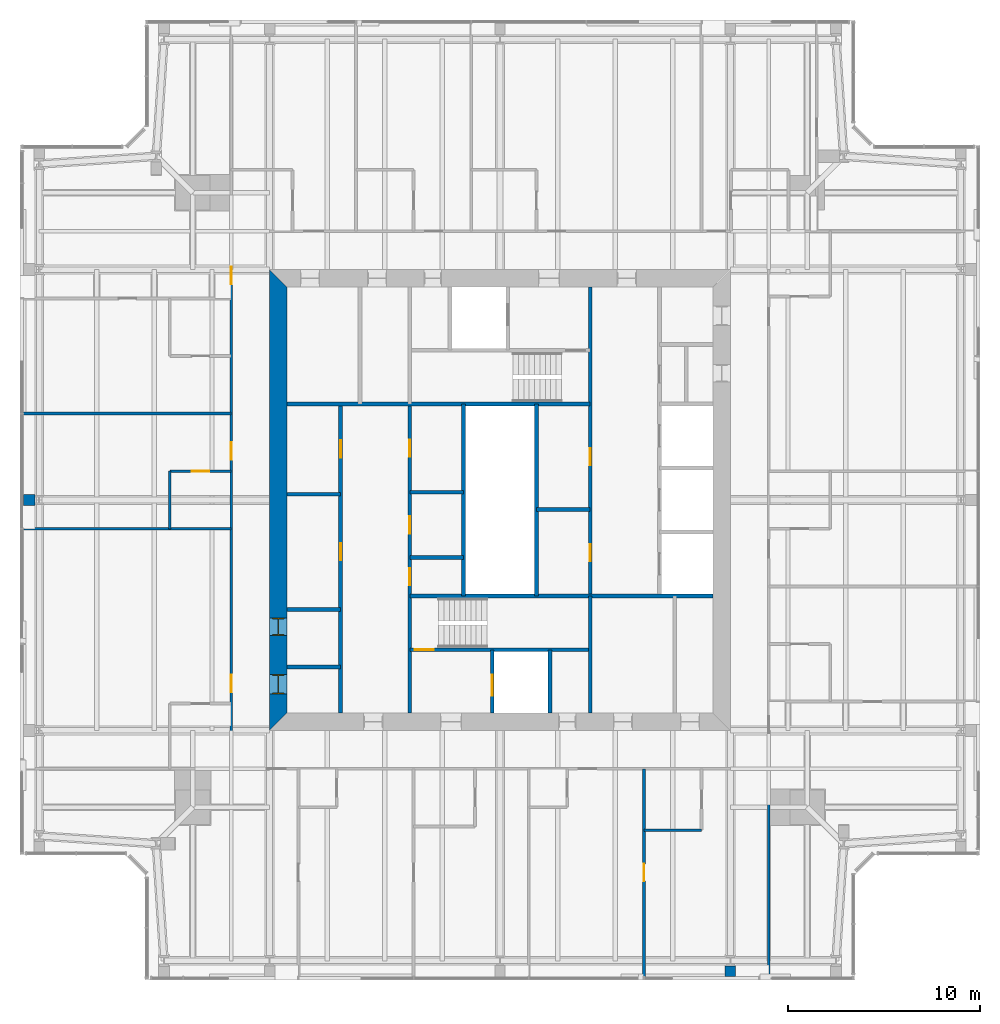
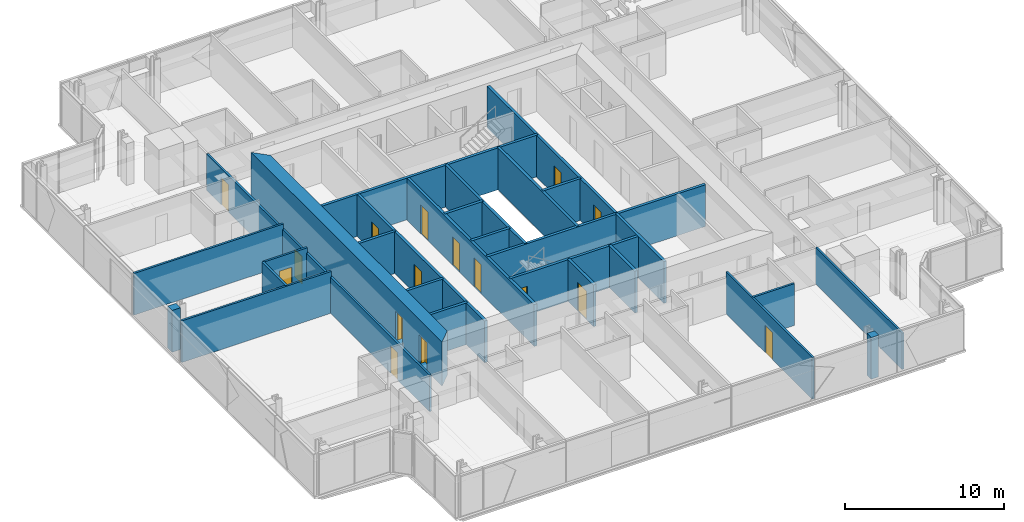
# One storey, part 12 of 18: 28 walls, 16 doors, 16 openings.
"""IFC4 building model written with IfcOpenShell, lengths in metres."""

from ifc_helpers import new_model, si_unit, direction, frame, frame_2d, origin, place, context, subcontext, project, spatial, polyline, rectangle, outline, extrude, material, layer, layer_set, type_object, element, fill, save


model = new_model("IFC4")

# Units and contexts
model_context = context("Model", 3, precision=1e-05, world=origin(), true_north=direction((0.0, 1.0)))
body_context = subcontext(model_context, "Body", "Model", "MODEL_VIEW")
ifc_project = project(units=[si_unit("LENGTHUNIT", "METRE"), si_unit("AREAUNIT", "SQUARE_METRE"), si_unit("VOLUMEUNIT", "CUBIC_METRE"), si_unit("PLANEANGLEUNIT", "RADIAN"), si_unit("MASSUNIT", "GRAM", prefix="KILO")], contexts=[model_context])

# Site, building, storey
site_placement = place(None, origin())
site = spatial("IfcSite", under=ifc_project, at=site_placement, CompositionType="ELEMENT")
building_placement = place(site_placement, origin())
building = spatial("IfcBuilding", under=site, at=building_placement, Name="Fenwick Lantern Interchange", CompositionType="ELEMENT")
storey_placement = place(building_placement, frame((0.0, 0.0, 293.39990234375)))
storey = spatial("IfcBuildingStorey", under=building, at=storey_placement, Name="L71", CompositionType="ELEMENT", Elevation=293.39990234375)

# Walls
ifc_material_1 = material(Name="Fire-rated gypsum board encasement on steel studs, 2 hour", Category="steel")
ifc_layer_1 = layer(ifc_material_1, 0.5419921875)
ifc_layer_set_1 = layer_set([ifc_layer_1], Name="COLUMN PIER 542")
wall_type_1 = type_object("IfcWallType", Name="COLUMN PIER 542", PredefinedType="PARTITIONING", material=ifc_layer_set_1)
wall_1_placement = place(storey_placement, frame((37.0, 0.18994140625, 0.0), z_axis=(0.0, 0.0, 1.0), x_axis=(0.0, 1.0, 0.0)))
element("IfcWall", 1, at=wall_1_placement, inside=storey, type_object=wall_type_1, Name="L71/W/PIER/CS4", PredefinedType="PARTITIONING", context=body_context, shape_type="SweptSolid", body=[
    extrude(rectangle(XDim=0.544677734375, YDim=0.5419921875, at=frame_2d((0.2724609375, 0.0))), origin(), (0.0, 0.0, 1.0), 3.2001953125),
])
ifc_layer_2 = layer(ifc_material_1, 0.574951171875)
ifc_layer_set_2 = layer_set([ifc_layer_2], Name="COLUMN PIER 575")
wall_type_2 = type_object("IfcWallType", Name="COLUMN PIER 575", PredefinedType="PARTITIONING", material=ifc_layer_set_2)
wall_2_placement = place(storey_placement, frame((0.18994140625, 25.0, 0.0), z_axis=(0.0, 0.0, 1.0), x_axis=(1.0, 0.0, 0.0)))
element("IfcWall", 2, at=wall_2_placement, inside=storey, type_object=wall_type_2, Name="L71/W/PIER/CW3", PredefinedType="PARTITIONING", context=body_context, shape_type="SweptSolid", body=[
    extrude(rectangle(XDim=0.597900390625, YDim=0.574951171875, at=frame_2d((0.298828125, 0.0))), origin(), (0.0, 0.0, 1.0), 3.2001953125),
])

# Wall, openings, doors
ifc_material_2 = material(Name="Concrete masonry ASTM C90 Grade N", Category="masonry")
ifc_layer_3 = layer(ifc_material_2, 0.199951171875)
ifc_layer_set_3 = layer_set([ifc_layer_3], Name="Concrete masonry ASTM C90 Grade N")
wall_type_3 = type_object("IfcWallType", Name="CORE PARTITION 200", PredefinedType="PARTITIONING", material=ifc_layer_set_3)
wall_3_placement = place(storey_placement, frame((16.699951171875, 13.89990234375, 0.0), z_axis=(0.0, 0.0, 1.0), x_axis=(0.0, 1.0, 0.0)))
wall_3 = element("IfcWall", 3, at=wall_3_placement, inside=storey, type_object=wall_type_3, Name="L71/W/CORES/a", PredefinedType="PARTITIONING", context=body_context, shape_type="SweptSolid", body=[
    extrude(rectangle(XDim=16.10009765625, YDim=0.199951171875, at=frame_2d((8.050048828125, 0.0))), origin(), (0.0, 0.0, 1.0), 3.2001953125),
])
opening_1_placement = place(wall_3_placement, frame((7.949951171875, 0.0, 0.0)))
opening_1 = element("IfcOpeningElement", 4, at=opening_1_placement, cuts=wall_3, Name="Opening L71-D009", PredefinedType="OPENING", context=body_context, shape_type="SweptSolid", body=[
    extrude(rectangle(XDim=0.89990234375, YDim=2.199951171875, at=frame_2d((0.449951171875, 1.10009765625))), frame((0.0, 0.10986328125, 0.0), z_axis=(0.0, -1.0, 0.0), x_axis=(1.0, 0.0, 0.0)), (0.0, 0.0, 1.0), 0.219970703125),
])
opening_2_placement = place(wall_3_placement, frame((13.300048828125, 0.0, 0.0)))
opening_2 = element("IfcOpeningElement", 5, at=opening_2_placement, cuts=wall_3, Name="Opening L71-D010", PredefinedType="OPENING", context=body_context, shape_type="SweptSolid", body=[
    extrude(rectangle(XDim=0.89990234375, YDim=2.199951171875, at=frame_2d((0.449951171875, 1.10009765625))), frame((0.0, 0.10986328125, 0.0), z_axis=(0.0, -1.0, 0.0), x_axis=(1.0, 0.0, 0.0)), (0.0, 0.0, 1.0), 0.219970703125),
])
ifc_material_3 = material(Name="Steel door and frame", Category="steel")
door_type_1 = type_object("IfcDoorType", Name="SERVICE DOOR 900 X 2200", OperationType="SINGLE_SWING_LEFT", PredefinedType="DOOR", material=ifc_material_3)
door_1_placement = place(opening_1_placement, origin())
door_1 = element("IfcDoor", 6, at=door_1_placement, inside=storey, type_object=door_type_1, Name="Service door", OperationType="SINGLE_SWING_LEFT", OverallHeight=2.199951171875, OverallWidth=0.89990234375, PredefinedType="DOOR", context=body_context, shape_type="SweptSolid", body=[
    extrude(rectangle(XDim=0.89990234375, YDim=2.199951171875, at=frame_2d((0.449951171875, 1.10009765625))), frame((0.0, 0.02490234375, 0.0), z_axis=(0.0, -1.0, 0.0), x_axis=(1.0, 0.0, 0.0)), (0.0, 0.0, 1.0), 0.050048828125),
])
fill(opening_1, door_1)
door_2_placement = place(opening_2_placement, origin())
door_2 = element("IfcDoor", 7, at=door_2_placement, inside=storey, type_object=door_type_1, Name="Service door", OperationType="SINGLE_SWING_LEFT", OverallHeight=2.199951171875, OverallWidth=0.89990234375, PredefinedType="DOOR", context=body_context, shape_type="SweptSolid", body=[
    extrude(rectangle(XDim=0.89990234375, YDim=2.199951171875, at=frame_2d((0.449951171875, 1.10009765625))), frame((0.0, 0.02490234375, 0.0), z_axis=(0.0, -1.0, 0.0), x_axis=(1.0, 0.0, 0.0)), (0.0, 0.0, 1.0), 0.050048828125),
])
fill(opening_2, door_2)

# Wall
wall_4_placement = place(storey_placement, frame((23.10009765625, 20.0, 0.0), z_axis=(0.0, 0.0, 1.0), x_axis=(0.0, 1.0, 0.0)))
element("IfcWall", 8, at=wall_4_placement, inside=storey, type_object=wall_type_3, Name="L71/W/CORES/e3", PredefinedType="PARTITIONING", context=body_context, shape_type="SweptSolid", body=[
    extrude(rectangle(XDim=10.0, YDim=0.199951171875, at=frame_2d((5.0, 0.0))), origin(), (0.0, 0.0, 1.0), 3.2001953125),
])

# Wall, opening, door
wall_5_placement = place(storey_placement, frame((24.60009765625, 13.89990234375, 0.0), z_axis=(0.0, 0.0, 1.0), x_axis=(0.0, 1.0, 0.0)))
wall_5 = element("IfcWall", 9, at=wall_5_placement, inside=storey, type_object=wall_type_3, Name="L71/W/CORES/h1", PredefinedType="PARTITIONING", context=body_context, shape_type="SweptSolid", body=[
    extrude(rectangle(XDim=3.300048828125, YDim=0.199951171875, at=frame_2d((1.64990234375, 0.0))), origin(), (0.0, 0.0, 1.0), 3.2001953125),
])
opening_3_placement = place(wall_5_placement, frame((0.89990234375, 0.0, 0.0)))
opening_3 = element("IfcOpeningElement", 10, at=opening_3_placement, cuts=wall_5, Name="Opening LD-FL1", PredefinedType="OPENING", context=body_context, shape_type="SweptSolid", body=[
    extrude(rectangle(XDim=1.10009765625, YDim=2.199951171875, at=frame_2d((0.550048828125, 1.10009765625))), frame((0.0, 0.10986328125, 0.0), z_axis=(0.0, -1.0, 0.0), x_axis=(1.0, 0.0, 0.0)), (0.0, 0.0, 1.0), 0.219970703125),
])
door_type_2 = type_object("IfcDoorType", Name="LIFT LANDING DOOR 1100 X 2200", OperationType="DOUBLE_DOOR_SLIDING", PredefinedType="DOOR", material=ifc_material_3)
door_3_placement = place(opening_3_placement, origin())
door_3 = element("IfcDoor", 11, at=door_3_placement, inside=storey, type_object=door_type_2, Name="Lift landing door FL1", OperationType="DOUBLE_DOOR_SLIDING", OverallHeight=2.199951171875, OverallWidth=1.10009765625, PredefinedType="DOOR", context=body_context, shape_type="SweptSolid", body=[
    extrude(rectangle(XDim=1.10009765625, YDim=2.199951171875, at=frame_2d((0.550048828125, 1.10009765625))), frame((0.0, 0.02490234375, 0.0), z_axis=(0.0, -1.0, 0.0), x_axis=(1.0, 0.0, 0.0)), (0.0, 0.0, 1.0), 0.050048828125),
])
fill(opening_3, door_3)

# Walls
wall_6_placement = place(storey_placement, frame((27.60009765625, 13.89990234375, 0.0), z_axis=(0.0, 0.0, 1.0), x_axis=(0.0, 1.0, 0.0)))
element("IfcWall", 12, at=wall_6_placement, inside=storey, type_object=wall_type_3, Name="L71/W/CORES/h2", PredefinedType="PARTITIONING", context=body_context, shape_type="SweptSolid", body=[
    extrude(rectangle(XDim=3.300048828125, YDim=0.199951171875, at=frame_2d((1.64990234375, 0.0))), origin(), (0.0, 0.0, 1.0), 3.2001953125),
])
for number, where, z_axis, x_axis, name in (
    (13, (13.89990234375, 16.300048828125, 0.0), (0.0, 0.0, 1.0), (1.0, 0.0, 0.0), "L71/W/CORES/p1"),
    (14, (13.89990234375, 19.300048828125, 0.0), (0.0, 0.0, 1.0), (1.0, 0.0, 0.0), "L71/W/CORES/p2"),
    (15, (13.89990234375, 25.300048828125, 0.0), (0.0, 0.0, 1.0), (1.0, 0.0, 0.0), "L71/W/CORES/p3"),
    (16, (20.300048828125, 22.0, 0.0), (0.0, 0.0, 1.0), (1.0, 0.0, 0.0), "L71/W/CORES/q1"),
    (17, (20.300048828125, 25.39990234375, 0.0), (0.0, 0.0, 1.0), (1.0, 0.0, 0.0), "L71/W/CORES/q2"),
):
    element("IfcWall", number, at=place(storey_placement, frame(where, z_axis=z_axis, x_axis=x_axis)), inside=storey, type_object=wall_type_3, Name=name, PredefinedType="PARTITIONING", context=body_context, shape_type="SweptSolid", body=[
        extrude(rectangle(XDim=2.800048828125, YDim=0.199951171875, at=frame_2d((1.39990234375, 0.0))), origin(), (0.0, 0.0, 1.0), 3.2001953125),
    ])
wall_7_placement = place(storey_placement, frame((26.89990234375, 30.0, 0.0), z_axis=(0.0, 0.0, 1.0), x_axis=(0.0, -1.0, 0.0)))
element("IfcWall", 18, at=wall_7_placement, inside=storey, type_object=wall_type_3, Name="L71/W/COREN/e3", PredefinedType="PARTITIONING", context=body_context, shape_type="SweptSolid", body=[
    extrude(rectangle(XDim=10.0, YDim=0.199951171875, at=frame_2d((5.0, 0.0))), origin(), (0.0, 0.0, 1.0), 3.2001953125),
])
wall_8_placement = place(storey_placement, frame((29.699951171875, 24.5, 0.0), z_axis=(0.0, 0.0, 1.0), x_axis=(-1.0, 0.0, 0.0)))
element("IfcWall", 19, at=wall_8_placement, inside=storey, type_object=wall_type_3, Name="L71/W/COREN/q1", PredefinedType="PARTITIONING", context=body_context, shape_type="SweptSolid", body=[
    extrude(rectangle(XDim=2.800048828125, YDim=0.199951171875, at=frame_2d((1.39990234375, 0.0))), origin(), (0.0, 0.0, 1.0), 3.2001953125),
])

# Wall, openings, doors
ifc_material_4 = material(Name="Concrete f'c 70 MPa", Category="concrete")
ifc_layer_4 = layer(ifc_material_4, 0.89990234375)
ifc_layer_set_4 = layer_set([ifc_layer_4], Name="CORE WALL 900")
wall_type_4 = type_object("IfcWallType", Name="CORE WALL 900", PredefinedType="SHEAR", material=ifc_layer_set_4)
wall_9_placement = place(storey_placement, frame((13.449951171875, 36.10009765625, 0.0), z_axis=(0.0, 0.0, 1.0), x_axis=(0.0, -1.0, 0.0)))
wall_9 = element("IfcWall", 20, at=wall_9_placement, inside=storey, type_object=wall_type_4, Name="L71/CORE/W", PredefinedType="SHEAR", context=body_context, shape_type="SweptSolid", body=[
    extrude(outline(polyline([(-0.89990234375, -0.449951171875), (23.10009765625, -0.449951171875), (22.199951171875, 0.449951171875), (0.0, 0.449951171875), (-0.89990234375, -0.449951171875)])), origin(), (0.0, 0.0, 1.0), 3.400146484375),
])
opening_4_placement = place(wall_9_placement, frame((20.199951171875, 0.0, 0.0)))
opening_4 = element("IfcOpeningElement", 21, at=opening_4_placement, cuts=wall_9, Name="Opening L71-D007", PredefinedType="OPENING", context=body_context, shape_type="SweptSolid", body=[
    extrude(rectangle(XDim=1.0, YDim=2.199951171875, at=frame_2d((0.5, 1.10009765625))), frame((0.0, 0.4599609375, 0.0), z_axis=(0.0, -1.0, 0.0), x_axis=(1.0, 0.0, 0.0)), (0.0, 0.0, 1.0), 0.919921875),
])
opening_5_placement = place(wall_9_placement, frame((17.25, 0.0, 0.0)))
opening_5 = element("IfcOpeningElement", 22, at=opening_5_placement, cuts=wall_9, Name="Opening L71-D008", PredefinedType="OPENING", context=body_context, shape_type="SweptSolid", body=[
    extrude(rectangle(XDim=0.89990234375, YDim=2.199951171875, at=frame_2d((0.449951171875, 1.10009765625))), frame((0.0, 0.4599609375, 0.0), z_axis=(0.0, -1.0, 0.0), x_axis=(1.0, 0.0, 0.0)), (0.0, 0.0, 1.0), 0.919921875),
])
door_4_placement = place(opening_5_placement, origin())
door_4 = element("IfcDoor", 23, at=door_4_placement, inside=storey, type_object=door_type_1, Name="Service door", OperationType="SINGLE_SWING_LEFT", OverallHeight=2.199951171875, OverallWidth=0.89990234375, PredefinedType="DOOR", context=body_context, shape_type="SweptSolid", body=[
    extrude(rectangle(XDim=0.89990234375, YDim=2.199951171875, at=frame_2d((0.449951171875, 1.10009765625))), frame((0.0, 0.02490234375, 0.0), z_axis=(0.0, -1.0, 0.0), x_axis=(1.0, 0.0, 0.0)), (0.0, 0.0, 1.0), 0.050048828125),
    extrude(outline(polyline([(0.0, 0.0), (0.0400390625, 0.0), (0.0400390625, 2.159912109375), (0.85986328125, 2.159912109375), (0.85986328125, 0.0), (0.89990234375, 0.0), (0.89990234375, 2.199951171875), (0.0, 2.199951171875), (0.0, 0.0)])), frame((0.0, 0.300048828125, 0.0), z_axis=(0.0, -1.0, 0.0), x_axis=(1.0, 0.0, 0.0)), (0.0, 0.0, 1.0), 0.60009765625),
])
fill(opening_5, door_4)
ifc_material_5 = material(Name="Hardwood door and steel frame", Category="steel")
door_type_3 = type_object("IfcDoorType", Name="WC DOOR 1000 X 2200", OperationType="SINGLE_SWING_LEFT", PredefinedType="DOOR", material=ifc_material_5)
door_5_placement = place(opening_4_placement, origin())
door_5 = element("IfcDoor", 24, at=door_5_placement, inside=storey, type_object=door_type_3, Name="Wc door", OperationType="SINGLE_SWING_LEFT", OverallHeight=2.199951171875, OverallWidth=1.0, PredefinedType="DOOR", context=body_context, shape_type="SweptSolid", body=[
    extrude(rectangle(XDim=1.0, YDim=2.199951171875, at=frame_2d((0.5, 1.10009765625))), frame((0.0, 0.02490234375, 0.0), z_axis=(0.0, -1.0, 0.0), x_axis=(1.0, 0.0, 0.0)), (0.0, 0.0, 1.0), 0.050048828125),
    extrude(outline(polyline([(0.0, 0.0), (0.0400390625, 0.0), (0.0400390625, 2.159912109375), (0.9599609375, 2.159912109375), (0.9599609375, 0.0), (1.0, 0.0), (1.0, 2.199951171875), (0.0, 2.199951171875), (0.0, 0.0)])), frame((0.0, 0.300048828125, 0.0), z_axis=(0.0, -1.0, 0.0), x_axis=(1.0, 0.0, 0.0)), (0.0, 0.0, 1.0), 0.60009765625),
])
fill(opening_4, door_5)

ifc_material_6 = material(Name="Gypsum board on steel studs, 1 hour", Category="steel")
ifc_layer_5 = layer(ifc_material_6, 0.14990234375)
ifc_layer_set_5 = layer_set([ifc_layer_5], Name="CORRIDOR WALL 150")
wall_type_5 = type_object("IfcWallType", Name="CORRIDOR WALL 150", PredefinedType="PARTITIONING", material=ifc_layer_set_5)
wall_10_placement = place(storey_placement, frame((11.0, 39.0, 0.0), z_axis=(0.0, 0.0, 1.0), x_axis=(0.0, -1.0, 0.0)))
wall_10 = element("IfcWall", 25, at=wall_10_placement, inside=storey, type_object=wall_type_5, Name="L71/W/HOTEL/W/CW", PredefinedType="PARTITIONING", context=body_context, shape_type="SweptSolid", body=[
    extrude(rectangle(XDim=28.0, YDim=0.14990234375, at=frame_2d((14.0, 0.0))), origin(), (0.0, 0.0, 1.0), 2.793701171875),
])
opening_6_placement = place(wall_10_placement, frame((1.85009765625, 0.0, 0.0)))
opening_6 = element("IfcOpeningElement", 26, at=opening_6_placement, cuts=wall_10, Name="Opening L71-D050", PredefinedType="OPENING", context=body_context, shape_type="SweptSolid", body=[
    extrude(rectangle(XDim=0.89990234375, YDim=2.10009765625, at=frame_2d((0.449951171875, 1.050048828125))), frame((0.0, 0.0849609375, 0.0), z_axis=(0.0, -1.0, 0.0), x_axis=(1.0, 0.0, 0.0)), (0.0, 0.0, 1.0), 0.169921875),
])
opening_7_placement = place(wall_10_placement, frame((11.0, 0.0, 0.0)))
opening_7 = element("IfcOpeningElement", 27, at=opening_7_placement, cuts=wall_10, Name="Opening L71-D054", PredefinedType="OPENING", context=body_context, shape_type="SweptSolid", body=[
    extrude(rectangle(XDim=0.89990234375, YDim=2.10009765625, at=frame_2d((0.449951171875, 1.050048828125))), frame((0.0, 0.0849609375, 0.0), z_axis=(0.0, -1.0, 0.0), x_axis=(1.0, 0.0, 0.0)), (0.0, 0.0, 1.0), 0.169921875),
])
opening_8_placement = place(wall_10_placement, frame((23.10009765625, 0.0, 0.0)))
opening_8 = element("IfcOpeningElement", 28, at=opening_8_placement, cuts=wall_10, Name="Opening L71-D056", PredefinedType="OPENING", context=body_context, shape_type="SweptSolid", body=[
    extrude(rectangle(XDim=0.89990234375, YDim=2.10009765625, at=frame_2d((0.449951171875, 1.050048828125))), frame((0.0, 0.0849609375, 0.0), z_axis=(0.0, -1.0, 0.0), x_axis=(1.0, 0.0, 0.0)), (0.0, 0.0, 1.0), 0.169921875),
])
door_type_4 = type_object("IfcDoorType", Name="GUEST ROOM DOOR 900 X 2100", OperationType="SINGLE_SWING_LEFT", PredefinedType="DOOR", material=ifc_material_3)
door_6_placement = place(opening_6_placement, frame((0.89990234375, 0.0, 0.0), z_axis=(0.0, 0.0, 1.0), x_axis=(-1.0, 0.0, 0.0)))
door_6 = element("IfcDoor", 29, at=door_6_placement, inside=storey, type_object=door_type_4, Name="Guest room door", OperationType="SINGLE_SWING_LEFT", OverallHeight=2.10009765625, OverallWidth=0.89990234375, PredefinedType="DOOR", context=body_context, shape_type="SweptSolid", body=[
    extrude(rectangle(XDim=0.89990234375, YDim=2.10009765625, at=frame_2d((0.449951171875, 1.050048828125))), frame((0.0, 0.02490234375, 0.0), z_axis=(0.0, -1.0, 0.0), x_axis=(1.0, 0.0, 0.0)), (0.0, 0.0, 1.0), 0.050048828125),
])
fill(opening_6, door_6)
door_7_placement = place(opening_7_placement, frame((0.89990234375, 0.0, 0.0), z_axis=(0.0, 0.0, 1.0), x_axis=(-1.0, 0.0, 0.0)))
door_7 = element("IfcDoor", 30, at=door_7_placement, inside=storey, type_object=door_type_4, Name="Guest room door", OperationType="SINGLE_SWING_LEFT", OverallHeight=2.10009765625, OverallWidth=0.89990234375, PredefinedType="DOOR", context=body_context, shape_type="SweptSolid", body=[
    extrude(rectangle(XDim=0.89990234375, YDim=2.10009765625, at=frame_2d((0.449951171875, 1.050048828125))), frame((0.0, 0.02490234375, 0.0), z_axis=(0.0, -1.0, 0.0), x_axis=(1.0, 0.0, 0.0)), (0.0, 0.0, 1.0), 0.050048828125),
])
fill(opening_7, door_7)
door_8_placement = place(opening_8_placement, frame((0.89990234375, 0.0, 0.0), z_axis=(0.0, 0.0, 1.0), x_axis=(-1.0, 0.0, 0.0)))
door_8 = element("IfcDoor", 31, at=door_8_placement, inside=storey, type_object=door_type_4, Name="Guest room door", OperationType="SINGLE_SWING_LEFT", OverallHeight=2.10009765625, OverallWidth=0.89990234375, PredefinedType="DOOR", context=body_context, shape_type="SweptSolid", body=[
    extrude(rectangle(XDim=0.89990234375, YDim=2.10009765625, at=frame_2d((0.449951171875, 1.050048828125))), frame((0.0, 0.02490234375, 0.0), z_axis=(0.0, -1.0, 0.0), x_axis=(1.0, 0.0, 0.0)), (0.0, 0.0, 1.0), 0.050048828125),
])
fill(opening_8, door_8)

# Walls
ifc_material_7 = material(Name="Gypsum board on steel studs, moisture resistant", Category="steel")
ifc_layer_6 = layer(ifc_material_7, 0.14990234375)
ifc_layer_set_6 = layer_set([ifc_layer_6], Name="EN-SUITE WALL 150")
wall_type_6 = type_object("IfcWallType", Name="EN-SUITE WALL 150", PredefinedType="PARTITIONING", material=ifc_layer_set_6)
for number, where, z_axis, x_axis, name in (
    (32, (32.5, 7.800048828125, 0.0), (0.0, 0.0, 1.0), (1.0, 0.0, 0.0), "L71/W/HOTEL/S/U2BW"),
    (33, (7.800048828125, 26.5, 0.0), (0.0, 0.0, 1.0), (0.0, -1.0, 0.0), "L71/W/HOTEL/W/U2BW"),
):
    element("IfcWall", number, at=place(storey_placement, frame(where, z_axis=z_axis, x_axis=x_axis)), inside=storey, type_object=wall_type_6, Name=name, PredefinedType="PARTITIONING", context=body_context, shape_type="SweptSolid", body=[
        extrude(rectangle(XDim=3.0, YDim=0.14990234375, at=frame_2d((1.5, 0.0))), origin(), (0.0, 0.0, 1.0), 3.2001953125),
    ])

# Wall, opening, door
wall_11_placement = place(storey_placement, frame((7.800048828125, 26.5, 0.0), z_axis=(0.0, 0.0, 1.0), x_axis=(1.0, 0.0, 0.0)))
wall_11 = element("IfcWall", 34, at=wall_11_placement, inside=storey, type_object=wall_type_6, Name="L71/W/HOTEL/W/U2BX", PredefinedType="PARTITIONING", context=body_context, shape_type="SweptSolid", body=[
    extrude(rectangle(XDim=3.199951171875, YDim=0.14990234375, at=frame_2d((1.60009765625, 0.0))), origin(), (0.0, 0.0, 1.0), 3.2001953125),
])
opening_9_placement = place(wall_11_placement, frame((1.14990234375, 0.0, 0.0)))
opening_9 = element("IfcOpeningElement", 35, at=opening_9_placement, cuts=wall_11, Name="Opening L71-D053", PredefinedType="OPENING", context=body_context, shape_type="SweptSolid", body=[
    extrude(rectangle(XDim=0.89990234375, YDim=2.10009765625, at=frame_2d((0.449951171875, 1.050048828125))), frame((0.0, 0.0849609375, 0.0), z_axis=(0.0, -1.0, 0.0), x_axis=(1.0, 0.0, 0.0)), (0.0, 0.0, 1.0), 0.169921875),
])
door_type_5 = type_object("IfcDoorType", Name="EN-SUITE DOOR 900 X 2100", OperationType="SINGLE_SWING_LEFT", PredefinedType="DOOR", material=ifc_material_5)
door_9_placement = place(opening_9_placement, frame((0.89990234375, 0.0, 0.0), z_axis=(0.0, 0.0, 1.0), x_axis=(-1.0, 0.0, 0.0)))
door_9 = element("IfcDoor", 36, at=door_9_placement, inside=storey, type_object=door_type_5, Name="En-suite door", OperationType="SINGLE_SWING_RIGHT", OverallHeight=2.10009765625, OverallWidth=0.89990234375, PredefinedType="DOOR", context=body_context, shape_type="SweptSolid", body=[
    extrude(rectangle(XDim=0.89990234375, YDim=2.10009765625, at=frame_2d((0.449951171875, 1.050048828125))), frame((0.0, 0.02490234375, 0.0), z_axis=(0.0, -1.0, 0.0), x_axis=(1.0, 0.0, 0.0)), (0.0, 0.0, 1.0), 0.050048828125),
])
fill(opening_9, door_9)

# Walls
ifc_material_8 = material(Name="Gypsum board on steel studs, 1 hour acoustic", Category="steel")
ifc_layer_7 = layer(ifc_material_8, 0.14990234375)
ifc_layer_set_7 = layer_set([ifc_layer_7], Name="PARTY WALL 150")
wall_type_7 = type_object("IfcWallType", Name="PARTY WALL 150", PredefinedType="PARTITIONING", material=ifc_layer_set_7)
wall_12_placement = place(storey_placement, frame((39.0, 0.14990234375, 0.0), z_axis=(0.0, 0.0, 1.0), x_axis=(0.0, 1.0, 0.0)))
element("IfcWall", 37, at=wall_12_placement, inside=storey, type_object=wall_type_7, Name="L71/W/HOTEL/E/SW3", PredefinedType="PARTITIONING", context=body_context, shape_type="SweptSolid", body=[
    extrude(rectangle(XDim=10.85009765625, YDim=0.14990234375, at=frame_2d((5.425048828125, 0.0))), origin(), (0.0, 0.0, 1.0), 2.793701171875),
])
for number, where, z_axis, x_axis, name in (
    (38, (0.14990234375, 29.5, 0.0), (0.0, 0.0, 1.0), (1.0, 0.0, 0.0), "L71/W/HOTEL/W/U2PW"),
    (39, (0.14990234375, 23.5, 0.0), (0.0, 0.0, 1.0), (1.0, 0.0, 0.0), "L71/W/HOTEL/W/U3PW"),
):
    element("IfcWall", number, at=place(storey_placement, frame(where, z_axis=z_axis, x_axis=x_axis)), inside=storey, type_object=wall_type_7, Name=name, PredefinedType="PARTITIONING", context=body_context, shape_type="SweptSolid", body=[
        extrude(rectangle(XDim=10.85009765625, YDim=0.14990234375, at=frame_2d((5.425048828125, 0.0))), origin(), (0.0, 0.0, 1.0), 3.2001953125),
    ])

# Wall, openings, doors
ifc_material_9 = material(Name="Concrete f'c 45 MPa", Category="concrete")
ifc_layer_8 = layer(ifc_material_9, 0.199951171875)
ifc_layer_set_8 = layer_set([ifc_layer_8], Name="STAIR CORE WALL 200")
wall_type_8 = type_object("IfcWallType", Name="STAIR CORE WALL 200", PredefinedType="SOLIDWALL", material=ifc_layer_set_8)
wall_13_placement = place(storey_placement, frame((20.300048828125, 13.89990234375, 0.0), z_axis=(0.0, 0.0, 1.0), x_axis=(0.0, 1.0, 0.0)))
wall_13 = element("IfcWall", 40, at=wall_13_placement, inside=storey, type_object=wall_type_8, Name="L71/W/CORES/b", PredefinedType="SOLIDWALL", context=body_context, shape_type="SweptSolid", body=[
    extrude(rectangle(XDim=16.10009765625, YDim=0.199951171875, at=frame_2d((8.050048828125, 0.0))), origin(), (0.0, 0.0, 1.0), 3.2001953125),
])
opening_10_placement = place(wall_13_placement, frame((6.64990234375, 0.0, 0.0)))
opening_10 = element("IfcOpeningElement", 41, at=opening_10_placement, cuts=wall_13, Name="Opening L71-D011", PredefinedType="OPENING", context=body_context, shape_type="SweptSolid", body=[
    extrude(rectangle(XDim=0.89990234375, YDim=2.199951171875, at=frame_2d((0.449951171875, 1.10009765625))), frame((0.0, 0.10986328125, 0.0), z_axis=(0.0, -1.0, 0.0), x_axis=(1.0, 0.0, 0.0)), (0.0, 0.0, 1.0), 0.219970703125),
])
opening_11_placement = place(wall_13_placement, frame((9.35009765625, 0.0, 0.0)))
opening_11 = element("IfcOpeningElement", 42, at=opening_11_placement, cuts=wall_13, Name="Opening L71-D012", PredefinedType="OPENING", context=body_context, shape_type="SweptSolid", body=[
    extrude(rectangle(XDim=0.89990234375, YDim=2.199951171875, at=frame_2d((0.449951171875, 1.10009765625))), frame((0.0, 0.10986328125, 0.0), z_axis=(0.0, -1.0, 0.0), x_axis=(1.0, 0.0, 0.0)), (0.0, 0.0, 1.0), 0.219970703125),
])
opening_12_placement = place(wall_13_placement, frame((13.35009765625, 0.0, 0.0)))
opening_12 = element("IfcOpeningElement", 43, at=opening_12_placement, cuts=wall_13, Name="Opening L71-D013", PredefinedType="OPENING", context=body_context, shape_type="SweptSolid", body=[
    extrude(rectangle(XDim=0.89990234375, YDim=2.199951171875, at=frame_2d((0.449951171875, 1.10009765625))), frame((0.0, 0.10986328125, 0.0), z_axis=(0.0, -1.0, 0.0), x_axis=(1.0, 0.0, 0.0)), (0.0, 0.0, 1.0), 0.219970703125),
])
door_10_placement = place(opening_10_placement, frame((0.89990234375, 0.0, 0.0), z_axis=(0.0, 0.0, 1.0), x_axis=(-1.0, 0.0, 0.0)))
door_10 = element("IfcDoor", 44, at=door_10_placement, inside=storey, type_object=door_type_1, Name="Service door", OperationType="SINGLE_SWING_RIGHT", OverallHeight=2.199951171875, OverallWidth=0.89990234375, PredefinedType="DOOR", context=body_context, shape_type="SweptSolid", body=[
    extrude(rectangle(XDim=0.89990234375, YDim=2.199951171875, at=frame_2d((0.449951171875, 1.10009765625))), frame((0.0, 0.02490234375, 0.0), z_axis=(0.0, -1.0, 0.0), x_axis=(1.0, 0.0, 0.0)), (0.0, 0.0, 1.0), 0.050048828125),
])
fill(opening_10, door_10)
door_11_placement = place(opening_11_placement, frame((0.89990234375, 0.0, 0.0), z_axis=(0.0, 0.0, 1.0), x_axis=(-1.0, 0.0, 0.0)))
door_11 = element("IfcDoor", 45, at=door_11_placement, inside=storey, type_object=door_type_1, Name="Service door", OperationType="SINGLE_SWING_RIGHT", OverallHeight=2.199951171875, OverallWidth=0.89990234375, PredefinedType="DOOR", context=body_context, shape_type="SweptSolid", body=[
    extrude(rectangle(XDim=0.89990234375, YDim=2.199951171875, at=frame_2d((0.449951171875, 1.10009765625))), frame((0.0, 0.02490234375, 0.0), z_axis=(0.0, -1.0, 0.0), x_axis=(1.0, 0.0, 0.0)), (0.0, 0.0, 1.0), 0.050048828125),
])
fill(opening_11, door_11)
door_12_placement = place(opening_12_placement, frame((0.89990234375, 0.0, 0.0), z_axis=(0.0, 0.0, 1.0), x_axis=(-1.0, 0.0, 0.0)))
door_12 = element("IfcDoor", 46, at=door_12_placement, inside=storey, type_object=door_type_1, Name="Service door", OperationType="SINGLE_SWING_RIGHT", OverallHeight=2.199951171875, OverallWidth=0.89990234375, PredefinedType="DOOR", context=body_context, shape_type="SweptSolid", body=[
    extrude(rectangle(XDim=0.89990234375, YDim=2.199951171875, at=frame_2d((0.449951171875, 1.10009765625))), frame((0.0, 0.02490234375, 0.0), z_axis=(0.0, -1.0, 0.0), x_axis=(1.0, 0.0, 0.0)), (0.0, 0.0, 1.0), 0.050048828125),
])
fill(opening_12, door_12)

# Wall, opening, door
wall_14_placement = place(storey_placement, frame((20.300048828125, 17.199951171875, 0.0), z_axis=(0.0, 0.0, 1.0), x_axis=(1.0, 0.0, 0.0)))
wall_14 = element("IfcWall", 47, at=wall_14_placement, inside=storey, type_object=wall_type_8, Name="L71/W/CORES/g1", PredefinedType="SOLIDWALL", context=body_context, shape_type="SweptSolid", body=[
    extrude(rectangle(XDim=9.39990234375, YDim=0.199951171875, at=frame_2d((4.699951171875, 0.0))), origin(), (0.0, 0.0, 1.0), 3.2001953125),
])
opening_13_placement = place(wall_14_placement, frame((0.25, 0.0, 0.0)))
opening_13 = element("IfcOpeningElement", 48, at=opening_13_placement, cuts=wall_14, Name="Opening L71-D003", PredefinedType="OPENING", context=body_context, shape_type="SweptSolid", body=[
    extrude(rectangle(XDim=1.0, YDim=2.199951171875, at=frame_2d((0.5, 1.10009765625))), frame((0.0, 0.10986328125, 0.0), z_axis=(0.0, -1.0, 0.0), x_axis=(1.0, 0.0, 0.0)), (0.0, 0.0, 1.0), 0.219970703125),
])
door_type_6 = type_object("IfcDoorType", Name="STAIR DOOR 1000 X 2200", OperationType="SINGLE_SWING_LEFT", PredefinedType="DOOR", material=ifc_material_3)
door_13_placement = place(opening_13_placement, origin())
door_13 = element("IfcDoor", 49, at=door_13_placement, inside=storey, type_object=door_type_6, Name="Stair door", OperationType="SINGLE_SWING_LEFT", OverallHeight=2.199951171875, OverallWidth=1.0, PredefinedType="DOOR", context=body_context, shape_type="SweptSolid", body=[
    extrude(rectangle(XDim=1.0, YDim=2.199951171875, at=frame_2d((0.5, 1.10009765625))), frame((0.0, 0.02490234375, 0.0), z_axis=(0.0, -1.0, 0.0), x_axis=(1.0, 0.0, 0.0)), (0.0, 0.0, 1.0), 0.050048828125),
])
fill(opening_13, door_13)

# Walls
wall_15_placement = place(storey_placement, frame((20.300048828125, 20.0, 0.0), z_axis=(0.0, 0.0, 1.0), x_axis=(1.0, 0.0, 0.0)))
element("IfcWall", 50, at=wall_15_placement, inside=storey, type_object=wall_type_8, Name="L71/W/CORES/g2", PredefinedType="SOLIDWALL", context=body_context, shape_type="SweptSolid", body=[
    extrude(rectangle(XDim=15.800048828125, YDim=0.199951171875, at=frame_2d((7.89990234375, 0.0))), origin(), (0.0, 0.0, 1.0), 3.2001953125),
])
wall_16_placement = place(storey_placement, frame((29.699951171875, 13.89990234375, 0.0), z_axis=(0.0, 0.0, 1.0), x_axis=(0.0, 1.0, 0.0)))
element("IfcWall", 51, at=wall_16_placement, inside=storey, type_object=wall_type_8, Name="L71/W/CORES/i1", PredefinedType="SOLIDWALL", context=body_context, shape_type="SweptSolid", body=[
    extrude(rectangle(XDim=6.10009765625, YDim=0.199951171875, at=frame_2d((3.050048828125, 0.0))), origin(), (0.0, 0.0, 1.0), 3.2001953125),
])

# Wall, openings, doors
wall_17_placement = place(storey_placement, frame((29.699951171875, 36.10009765625, 0.0), z_axis=(0.0, 0.0, 1.0), x_axis=(0.0, -1.0, 0.0)))
wall_17 = element("IfcWall", 52, at=wall_17_placement, inside=storey, type_object=wall_type_8, Name="L71/W/COREN/b", PredefinedType="SOLIDWALL", context=body_context, shape_type="SweptSolid", body=[
    extrude(rectangle(XDim=16.10009765625, YDim=0.199951171875, at=frame_2d((8.050048828125, 0.0))), origin(), (0.0, 0.0, 1.0), 3.2001953125),
])
opening_14_placement = place(wall_17_placement, frame((8.39990234375, 0.0, 0.0)))
opening_14 = element("IfcOpeningElement", 53, at=opening_14_placement, cuts=wall_17, Name="Opening L71-D023", PredefinedType="OPENING", context=body_context, shape_type="SweptSolid", body=[
    extrude(rectangle(XDim=0.89990234375, YDim=2.199951171875, at=frame_2d((0.449951171875, 1.10009765625))), frame((0.0, 0.10986328125, 0.0), z_axis=(0.0, -1.0, 0.0), x_axis=(1.0, 0.0, 0.0)), (0.0, 0.0, 1.0), 0.219970703125),
])
opening_15_placement = place(wall_17_placement, frame((13.39990234375, 0.0, 0.0)))
opening_15 = element("IfcOpeningElement", 54, at=opening_15_placement, cuts=wall_17, Name="Opening L71-D024", PredefinedType="OPENING", context=body_context, shape_type="SweptSolid", body=[
    extrude(rectangle(XDim=0.89990234375, YDim=2.199951171875, at=frame_2d((0.449951171875, 1.10009765625))), frame((0.0, 0.10986328125, 0.0), z_axis=(0.0, -1.0, 0.0), x_axis=(1.0, 0.0, 0.0)), (0.0, 0.0, 1.0), 0.219970703125),
])
door_14_placement = place(opening_14_placement, frame((0.89990234375, 0.0, 0.0), z_axis=(0.0, 0.0, 1.0), x_axis=(-1.0, 0.0, 0.0)))
door_14 = element("IfcDoor", 55, at=door_14_placement, inside=storey, type_object=door_type_1, Name="Service door", OperationType="SINGLE_SWING_RIGHT", OverallHeight=2.199951171875, OverallWidth=0.89990234375, PredefinedType="DOOR", context=body_context, shape_type="SweptSolid", body=[
    extrude(rectangle(XDim=0.89990234375, YDim=2.199951171875, at=frame_2d((0.449951171875, 1.10009765625))), frame((0.0, 0.02490234375, 0.0), z_axis=(0.0, -1.0, 0.0), x_axis=(1.0, 0.0, 0.0)), (0.0, 0.0, 1.0), 0.050048828125),
])
fill(opening_14, door_14)
door_15_placement = place(opening_15_placement, frame((0.89990234375, 0.0, 0.0), z_axis=(0.0, 0.0, 1.0), x_axis=(-1.0, 0.0, 0.0)))
door_15 = element("IfcDoor", 56, at=door_15_placement, inside=storey, type_object=door_type_1, Name="Service door", OperationType="SINGLE_SWING_RIGHT", OverallHeight=2.199951171875, OverallWidth=0.89990234375, PredefinedType="DOOR", context=body_context, shape_type="SweptSolid", body=[
    extrude(rectangle(XDim=0.89990234375, YDim=2.199951171875, at=frame_2d((0.449951171875, 1.10009765625))), frame((0.0, 0.02490234375, 0.0), z_axis=(0.0, -1.0, 0.0), x_axis=(1.0, 0.0, 0.0)), (0.0, 0.0, 1.0), 0.050048828125),
])
fill(opening_15, door_15)

# Wall
wall_18_placement = place(storey_placement, frame((29.699951171875, 30.0, 0.0), z_axis=(0.0, 0.0, 1.0), x_axis=(-1.0, 0.0, 0.0)))
element("IfcWall", 57, at=wall_18_placement, inside=storey, type_object=wall_type_8, Name="L71/W/COREN/g2", PredefinedType="SOLIDWALL", context=body_context, shape_type="SweptSolid", body=[
    extrude(rectangle(XDim=15.800048828125, YDim=0.199951171875, at=frame_2d((7.89990234375, 0.0))), origin(), (0.0, 0.0, 1.0), 3.2001953125),
])

# Wall, opening, door
ifc_material_10 = material(Name="Gypsum board on steel studs, acoustic", Category="steel")
ifc_layer_9 = layer(ifc_material_10, 0.14990234375)
ifc_layer_set_9 = layer_set([ifc_layer_9], Name="SUITE PARTITION 150")
wall_type_9 = type_object("IfcWallType", Name="SUITE PARTITION 150", PredefinedType="PARTITIONING", material=ifc_layer_set_9)
wall_19_placement = place(storey_placement, frame((32.5, 0.14990234375, 0.0), z_axis=(0.0, 0.0, 1.0), x_axis=(0.0, 1.0, 0.0)))
wall_19 = element("IfcWall", 58, at=wall_19_placement, inside=storey, type_object=wall_type_9, Name="L71/W/HOTEL/S/U2P", PredefinedType="PARTITIONING", context=body_context, shape_type="SweptSolid", body=[
    extrude(rectangle(XDim=10.85009765625, YDim=0.14990234375, at=frame_2d((5.425048828125, 0.0))), origin(), (0.0, 0.0, 1.0), 3.2001953125),
])
opening_16_placement = place(wall_19_placement, frame((5.0, 0.0, 0.0)))
opening_16 = element("IfcOpeningElement", 59, at=opening_16_placement, cuts=wall_19, Name="Opening L71-D033", PredefinedType="OPENING", context=body_context, shape_type="SweptSolid", body=[
    extrude(rectangle(XDim=0.89990234375, YDim=2.10009765625, at=frame_2d((0.449951171875, 1.050048828125))), frame((0.0, 0.0849609375, 0.0), z_axis=(0.0, -1.0, 0.0), x_axis=(1.0, 0.0, 0.0)), (0.0, 0.0, 1.0), 0.169921875),
])
door_type_7 = type_object("IfcDoorType", Name="SUITE INTERNAL DOOR 900 X 2100", OperationType="SINGLE_SWING_LEFT", PredefinedType="DOOR", material=ifc_material_5)
door_16_placement = place(opening_16_placement, frame((0.89990234375, 0.0, 0.0), z_axis=(0.0, 0.0, 1.0), x_axis=(-1.0, 0.0, 0.0)))
door_16 = element("IfcDoor", 60, at=door_16_placement, inside=storey, type_object=door_type_7, Name="Suite internal door", OperationType="SINGLE_SWING_LEFT", OverallHeight=2.10009765625, OverallWidth=0.89990234375, PredefinedType="DOOR", context=body_context, shape_type="SweptSolid", body=[
    extrude(rectangle(XDim=0.89990234375, YDim=2.10009765625, at=frame_2d((0.449951171875, 1.050048828125))), frame((0.0, 0.02490234375, 0.0), z_axis=(0.0, -1.0, 0.0), x_axis=(1.0, 0.0, 0.0)), (0.0, 0.0, 1.0), 0.050048828125),
])
fill(opening_16, door_16)

save(model, "model.ifc")
